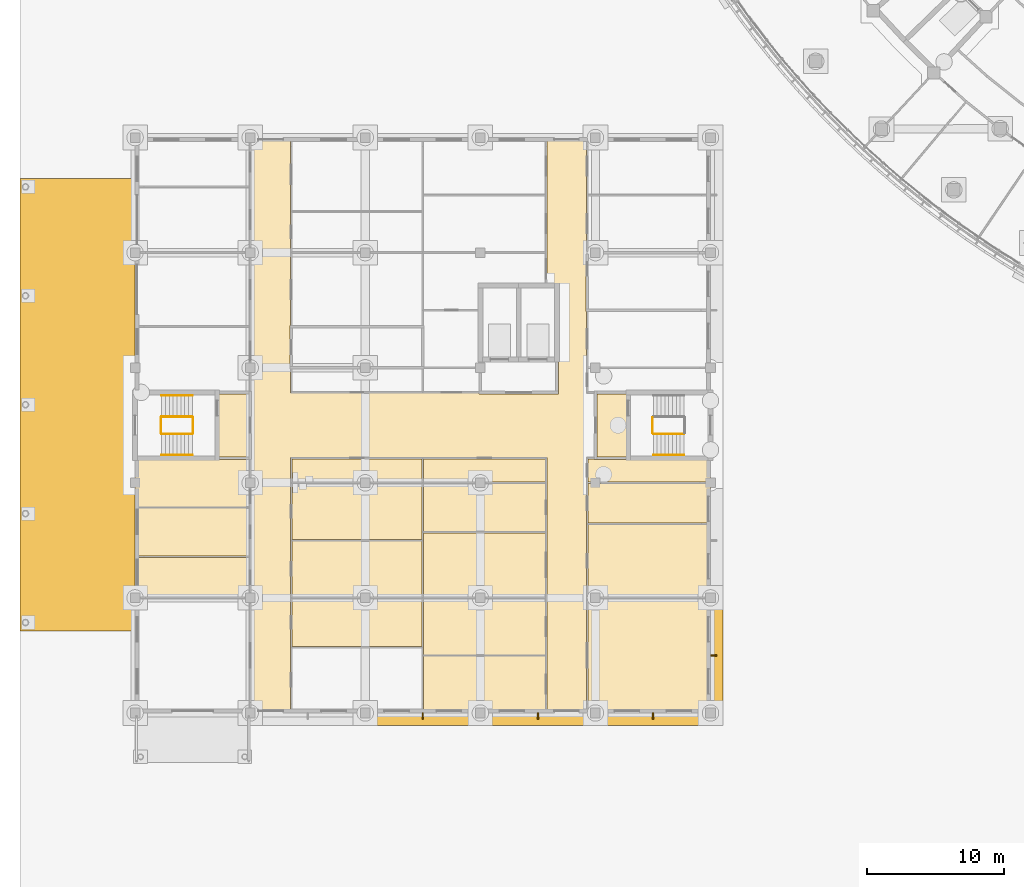
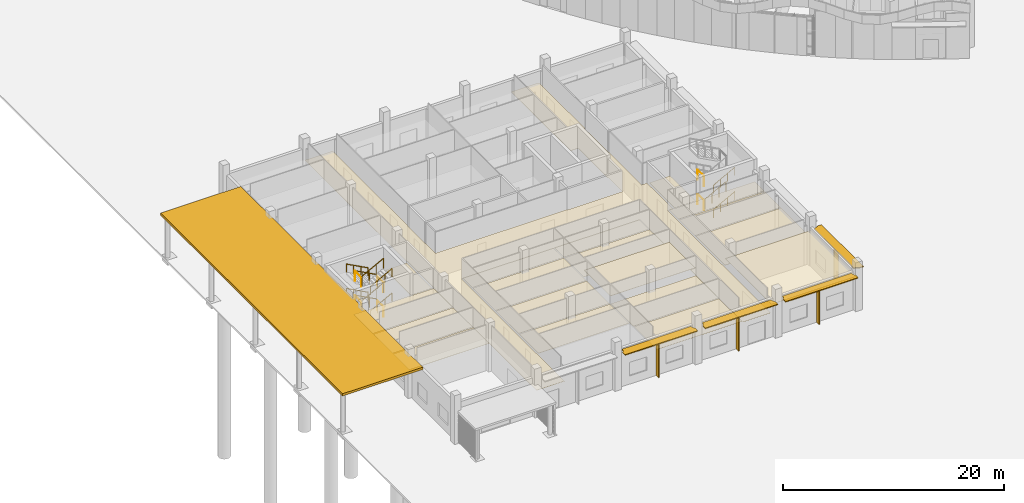
# One storey, part 117 of 146: 19 coverings, 17 railings, 9 shading devices.
"""IFC4 building model written with IfcOpenShell, lengths in metres."""

from ifc_helpers import new_model, si_unit, direction, frame, origin, origin_2d, place, context, subcontext, project, spatial, polyline, rectangle, circle, outline, extrude, material, layer, layer_set, material_profile, profile_set, type_object, element, save


model = new_model("IFC4")

# Units and contexts
model_context = context("Model", 3, precision=1e-05, world=origin(), true_north=direction((0.0, 1.0)))
body_context = subcontext(model_context, "Body", "Model", "MODEL_VIEW")
ifc_project = project(units=[si_unit("LENGTHUNIT", "METRE"), si_unit("AREAUNIT", "SQUARE_METRE"), si_unit("VOLUMEUNIT", "CUBIC_METRE"), si_unit("PLANEANGLEUNIT", "RADIAN"), si_unit("MASSUNIT", "GRAM", prefix="KILO")], contexts=[model_context])

# Site, building, storey
site_placement = place(None, origin())
site = spatial("IfcSite", under=ifc_project, at=site_placement, CompositionType="ELEMENT")
building_placement = place(site_placement, origin())
building = spatial("IfcBuilding", under=site, at=building_placement, Name="Bougainvillea Quay General Hospital", CompositionType="ELEMENT")
storey_placement = place(building_placement, origin())
storey = spatial("IfcBuildingStorey", under=building, at=storey_placement, Name="L00", CompositionType="ELEMENT", Elevation=0.0)

# Shading device
ifc_material_1 = material(Name="Powder-coated aluminium canopy soffit and fascia, white", Category="aluminium")
ifc_layer_1 = layer(ifc_material_1, 0.25)
ifc_layer_set_1 = layer_set([ifc_layer_1], Name="Powder-coated aluminium canopy soffit and fascia, white")
shading_device_type_1 = type_object("IfcShadingDeviceType", Name="Ambulance bay canopy 250", PredefinedType="AWNING", material=ifc_layer_set_1)
shading_device_1_placement = place(storey_placement, frame((0.0, 0.0, 4.35009765625)))
element("IfcShadingDevice", 1, at=shading_device_1_placement, inside=storey, type_object=shading_device_type_1, Name="Ambulance bay canopy amb", PredefinedType="AWNING", context=body_context, shape_type="SweptSolid", body=[
    extrude(outline(polyline([(0.0, 39.60009765625), (8.39990234375, 39.60009765625), (8.39990234375, 72.60009765625), (0.0, 72.60009765625), (0.0, 39.60009765625)])), origin(), (0.0, 0.0, 1.0), 0.25),
])

# Railings
ifc_material_2 = material(Name="Stainless steel 304 balustrade", Category="steel")
railing_type_1 = type_object("IfcRailingType", Name="Stair guard 1100", PredefinedType="GUARDRAIL", material=ifc_material_2)
railing_1_placement = place(storey_placement, frame((12.574951171875, 55.22509765625, 0.14990234375)))
element("IfcRailing", 2, at=railing_1_placement, inside=storey, type_object=railing_type_1, Name="L00 ST-U1 stair guard 1", PredefinedType="GUARDRAIL", context=body_context, shape_type="SweptSolid", body=[
    extrude(circle(Radius=0.02392578125, at=origin_2d()), frame((0.0, 0.0, 1.076171875), z_axis=(-0.881447119201, 0.0, 0.472282728937), x_axis=(0.0, -1.0, 0.0)), (0.0, 0.0, 1.0), 2.541259765625),
    extrude(circle(Radius=0.02099609375, at=origin_2d()), origin(), (0.0, 0.0, 1.0), 1.052001953125),
    extrude(circle(Radius=0.02099609375, at=origin_2d()), frame((-0.74658203125, 0.0, 0.400146484375)), (0.0, 0.0, 1.0), 1.052001953125),
    extrude(circle(Radius=0.02099609375, at=origin_2d()), frame((-1.493408203125, 0.0, 0.800048828125)), (0.0, 0.0, 1.0), 1.052001953125),
    extrude(circle(Radius=0.02099609375, at=origin_2d()), frame((-2.239990234375, 0.0, 1.2001953125)), (0.0, 0.0, 1.0), 1.052001953125),
])
railing_2_placement = place(storey_placement, frame((10.284912109375, 55.175048828125, 1.35009765625)))
element("IfcRailing", 3, at=railing_2_placement, inside=storey, type_object=railing_type_1, Name="L00 ST-U1 stair guard 2", PredefinedType="GUARDRAIL", context=body_context, shape_type="SweptSolid", body=[
    extrude(circle(Radius=0.02392578125, at=origin_2d()), frame((0.0, 0.0, 1.076171875), z_axis=(0.0, -1.0, 0.0), x_axis=(1.0, 0.0, 0.0)), (0.0, 0.0, 1.0), 1.150146484375),
    extrude(circle(Radius=0.02099609375, at=origin_2d()), origin(), (0.0, 0.0, 1.0), 1.052001953125),
    extrude(circle(Radius=0.02099609375, at=origin_2d()), frame((0.0, -1.150146484375, 0.0)), (0.0, 0.0, 1.0), 1.052001953125),
])
railing_3_placement = place(storey_placement, frame((10.3349609375, 53.97509765625, 1.5)))
element("IfcRailing", 4, at=railing_3_placement, inside=storey, type_object=railing_type_1, Name="L00 ST-U1 stair guard 3", PredefinedType="GUARDRAIL", context=body_context, shape_type="SweptSolid", body=[
    extrude(circle(Radius=0.02392578125, at=origin_2d()), frame((0.0, 0.0, 1.076171875), z_axis=(0.881487111273, 0.0, 0.472208081951), x_axis=(0.0, 1.0, 0.0)), (0.0, 0.0, 1.0), 2.541259765625),
    extrude(circle(Radius=0.02099609375, at=origin_2d()), origin(), (0.0, 0.0, 1.0), 1.052001953125),
    extrude(circle(Radius=0.02099609375, at=origin_2d()), frame((0.74658203125, 0.0, 0.39990234375)), (0.0, 0.0, 1.0), 1.052001953125),
    extrude(circle(Radius=0.02099609375, at=origin_2d()), frame((1.493408203125, 0.0, 0.800048828125)), (0.0, 0.0, 1.0), 1.052001953125),
    extrude(circle(Radius=0.02099609375, at=origin_2d()), frame((2.239990234375, 0.0, 1.199951171875)), (0.0, 0.0, 1.0), 1.052001953125),
])
railing_4_placement = place(storey_placement, frame((12.625, 55.175048828125, 2.699951171875)))
element("IfcRailing", 5, at=railing_4_placement, inside=storey, type_object=railing_type_1, Name="L00 ST-U1 stair guard 4", PredefinedType="GUARDRAIL", context=body_context, shape_type="SweptSolid", body=[
    extrude(circle(Radius=0.02392578125, at=origin_2d()), frame((0.0, 0.0, 1.076171875), z_axis=(0.0, -1.0, 0.0), x_axis=(1.0, 0.0, 0.0)), (0.0, 0.0, 1.0), 1.150146484375),
    extrude(circle(Radius=0.02099609375, at=origin_2d()), origin(), (0.0, 0.0, 1.0), 1.052001953125),
    extrude(circle(Radius=0.02099609375, at=origin_2d()), frame((0.0, -1.150146484375, 0.0)), (0.0, 0.0, 1.0), 1.052001953125),
])
railing_5_placement = place(storey_placement, frame((12.574951171875, 55.22509765625, 2.85009765625)))
element("IfcRailing", 6, at=railing_5_placement, inside=storey, type_object=railing_type_1, Name="L00 ST-U1 stair guard 5", PredefinedType="GUARDRAIL", context=body_context, shape_type="SweptSolid", body=[
    extrude(circle(Radius=0.02392578125, at=origin_2d()), frame((0.0, 0.0, 1.076171875), z_axis=(-0.881487111273, 0.0, 0.472208081951), x_axis=(0.0, -1.0, 0.0)), (0.0, 0.0, 1.0), 2.541259765625),
    extrude(circle(Radius=0.02099609375, at=origin_2d()), origin(), (0.0, 0.0, 1.0), 1.052001953125),
    extrude(circle(Radius=0.02099609375, at=origin_2d()), frame((-0.74658203125, 0.0, 0.39990234375)), (0.0, 0.0, 1.0), 1.052001953125),
    extrude(circle(Radius=0.02099609375, at=origin_2d()), frame((-1.493408203125, 0.0, 0.800048828125)), (0.0, 0.0, 1.0), 1.052001953125),
    extrude(circle(Radius=0.02099609375, at=origin_2d()), frame((-2.239990234375, 0.0, 1.199951171875)), (0.0, 0.0, 1.0), 1.052001953125),
])
railing_6_placement = place(storey_placement, frame((10.284912109375, 55.175048828125, 4.050048828125)))
element("IfcRailing", 7, at=railing_6_placement, inside=storey, type_object=railing_type_1, Name="L00 ST-U1 stair guard 6", PredefinedType="GUARDRAIL", context=body_context, shape_type="SweptSolid", body=[
    extrude(circle(Radius=0.02392578125, at=origin_2d()), frame((0.0, 0.0, 1.076171875), z_axis=(0.0, -1.0, 0.0), x_axis=(1.0, 0.0, 0.0)), (0.0, 0.0, 1.0), 1.150146484375),
    extrude(circle(Radius=0.02099609375, at=origin_2d()), origin(), (0.0, 0.0, 1.0), 1.052001953125),
    extrude(circle(Radius=0.02099609375, at=origin_2d()), frame((0.0, -1.150146484375, 0.0)), (0.0, 0.0, 1.0), 1.052001953125),
])
railing_7_placement = place(storey_placement, frame((10.3349609375, 53.97509765625, 4.199951171875)))
element("IfcRailing", 8, at=railing_7_placement, inside=storey, type_object=railing_type_1, Name="L00 ST-U1 stair guard 7", PredefinedType="GUARDRAIL", context=body_context, shape_type="SweptSolid", body=[
    extrude(circle(Radius=0.02392578125, at=origin_2d()), frame((0.0, 0.0, 1.076171875), z_axis=(0.881487111273, 0.0, 0.472208081951), x_axis=(0.0, 1.0, 0.0)), (0.0, 0.0, 1.0), 2.541259765625),
    extrude(circle(Radius=0.02099609375, at=origin_2d()), origin(), (0.0, 0.0, 1.0), 1.052001953125),
    extrude(circle(Radius=0.02099609375, at=origin_2d()), frame((0.74658203125, 0.0, 0.39990234375)), (0.0, 0.0, 1.0), 1.052001953125),
    extrude(circle(Radius=0.02099609375, at=origin_2d()), frame((1.493408203125, 0.0, 0.800048828125)), (0.0, 0.0, 1.0), 1.052001953125),
    extrude(circle(Radius=0.02099609375, at=origin_2d()), frame((2.239990234375, 0.0, 1.199951171875)), (0.0, 0.0, 1.0), 1.052001953125),
])
railing_8_placement = place(storey_placement, frame((12.625, 55.175048828125, 0.0)))
element("IfcRailing", 9, at=railing_8_placement, inside=storey, type_object=railing_type_1, Name="L00 ST-U1 stair guard 8", PredefinedType="GUARDRAIL", context=body_context, shape_type="SweptSolid", body=[
    extrude(circle(Radius=0.02392578125, at=origin_2d()), frame((0.0, 0.0, 1.076171875), z_axis=(0.0, -1.0, 0.0), x_axis=(1.0, 0.0, 0.0)), (0.0, 0.0, 1.0), 1.150146484375),
    extrude(circle(Radius=0.02099609375, at=origin_2d()), origin(), (0.0, 0.0, 1.0), 1.052001953125),
    extrude(circle(Radius=0.02099609375, at=origin_2d()), frame((0.0, -1.150146484375, 0.0)), (0.0, 0.0, 1.0), 1.052001953125),
])
railing_9_placement = place(storey_placement, frame((46.22509765625, 53.97509765625, 0.14990234375)))
element("IfcRailing", 10, at=railing_9_placement, inside=storey, type_object=railing_type_1, Name="L00 ST-U2 stair guard 1", PredefinedType="GUARDRAIL", context=body_context, shape_type="SweptSolid", body=[
    extrude(circle(Radius=0.02392578125, at=origin_2d()), frame((0.0, 0.0, 1.076171875), z_axis=(0.881447119201, 0.0, 0.472282728937), x_axis=(0.0, 1.0, 0.0)), (0.0, 0.0, 1.0), 2.541259765625),
    extrude(circle(Radius=0.02099609375, at=origin_2d()), origin(), (0.0, 0.0, 1.0), 1.052001953125),
    extrude(circle(Radius=0.02099609375, at=origin_2d()), frame((0.74658203125, 0.0, 0.400146484375)), (0.0, 0.0, 1.0), 1.052001953125),
    extrude(circle(Radius=0.02099609375, at=origin_2d()), frame((1.493408203125, 0.0, 0.800048828125)), (0.0, 0.0, 1.0), 1.052001953125),
    extrude(circle(Radius=0.02099609375, at=origin_2d()), frame((2.239990234375, 0.0, 1.2001953125)), (0.0, 0.0, 1.0), 1.052001953125),
])
for number, where, name in (
    (11, (46.175048828125, 54.02490234375, 2.699951171875), "L00 ST-U2 stair guard 4"),
    (12, (46.175048828125, 54.02490234375, 0.0), "L00 ST-U2 stair guard 8"),
):
    element("IfcRailing", number, at=place(storey_placement, frame(where)), inside=storey, type_object=railing_type_1, Name=name, PredefinedType="GUARDRAIL", context=body_context, shape_type="SweptSolid", body=[
        extrude(circle(Radius=0.02392578125, at=origin_2d()), frame((0.0, 0.0, 1.076171875), z_axis=(0.0, 1.0, 0.0), x_axis=(-1.0, 0.0, 0.0)), (0.0, 0.0, 1.0), 1.150146484375),
        extrude(circle(Radius=0.02099609375, at=origin_2d()), origin(), (0.0, 0.0, 1.0), 1.052001953125),
        extrude(circle(Radius=0.02099609375, at=origin_2d()), frame((0.0, 1.150146484375, 0.0)), (0.0, 0.0, 1.0), 1.052001953125),
    ])
ifc_material_3 = material(Name="Stainless steel 304 handrail", Category="steel")
railing_type_2 = type_object("IfcRailingType", Name="Stair handrail 900", PredefinedType="HANDRAIL", material=ifc_material_3)
railing_10_placement = place(storey_placement, frame((12.574951171875, 56.77490234375, 0.14990234375)))
element("IfcRailing", 13, at=railing_10_placement, inside=storey, type_object=railing_type_2, Name="L00 ST-U1 stair handrail 1", PredefinedType="HANDRAIL", context=body_context, shape_type="SweptSolid", body=[
    extrude(circle(Radius=0.02392578125, at=origin_2d()), frame((0.0, 0.0, 0.8759765625), z_axis=(-0.881447119201, 0.0, 0.472282728937), x_axis=(0.0, -1.0, 0.0)), (0.0, 0.0, 1.0), 2.541259765625),
    extrude(circle(Radius=0.02099609375, at=origin_2d()), origin(), (0.0, 0.0, 1.0), 0.851806640625),
    extrude(circle(Radius=0.02099609375, at=origin_2d()), frame((-0.74658203125, 0.0, 0.400146484375)), (0.0, 0.0, 1.0), 0.851806640625),
    extrude(circle(Radius=0.02099609375, at=origin_2d()), frame((-1.493408203125, 0.0, 0.800048828125)), (0.0, 0.0, 1.0), 0.851806640625),
    extrude(circle(Radius=0.02099609375, at=origin_2d()), frame((-2.239990234375, 0.0, 1.2001953125)), (0.0, 0.0, 1.0), 0.851806640625),
])
railing_11_placement = place(storey_placement, frame((10.3349609375, 52.425048828125, 1.5)))
element("IfcRailing", 14, at=railing_11_placement, inside=storey, type_object=railing_type_2, Name="L00 ST-U1 stair handrail 2", PredefinedType="HANDRAIL", context=body_context, shape_type="SweptSolid", body=[
    extrude(circle(Radius=0.02392578125, at=origin_2d()), frame((0.0, 0.0, 0.8759765625), z_axis=(0.881487111273, 0.0, 0.472208081951), x_axis=(0.0, 1.0, 0.0)), (0.0, 0.0, 1.0), 2.541259765625),
    extrude(circle(Radius=0.02099609375, at=origin_2d()), origin(), (0.0, 0.0, 1.0), 0.851806640625),
    extrude(circle(Radius=0.02099609375, at=origin_2d()), frame((0.74658203125, 0.0, 0.39990234375)), (0.0, 0.0, 1.0), 0.851806640625),
    extrude(circle(Radius=0.02099609375, at=origin_2d()), frame((1.493408203125, 0.0, 0.800048828125)), (0.0, 0.0, 1.0), 0.851806640625),
    extrude(circle(Radius=0.02099609375, at=origin_2d()), frame((2.239990234375, 0.0, 1.199951171875)), (0.0, 0.0, 1.0), 0.851806640625),
])
railing_12_placement = place(storey_placement, frame((12.574951171875, 56.77490234375, 2.85009765625)))
element("IfcRailing", 15, at=railing_12_placement, inside=storey, type_object=railing_type_2, Name="L00 ST-U1 stair handrail 3", PredefinedType="HANDRAIL", context=body_context, shape_type="SweptSolid", body=[
    extrude(circle(Radius=0.02392578125, at=origin_2d()), frame((0.0, 0.0, 0.8759765625), z_axis=(-0.881487111273, 0.0, 0.472208081951), x_axis=(0.0, -1.0, 0.0)), (0.0, 0.0, 1.0), 2.541259765625),
    extrude(circle(Radius=0.02099609375, at=origin_2d()), origin(), (0.0, 0.0, 1.0), 0.851806640625),
    extrude(circle(Radius=0.02099609375, at=origin_2d()), frame((-0.74658203125, 0.0, 0.39990234375)), (0.0, 0.0, 1.0), 0.851806640625),
    extrude(circle(Radius=0.02099609375, at=origin_2d()), frame((-1.493408203125, 0.0, 0.800048828125)), (0.0, 0.0, 1.0), 0.851806640625),
    extrude(circle(Radius=0.02099609375, at=origin_2d()), frame((-2.239990234375, 0.0, 1.199951171875)), (0.0, 0.0, 1.0), 0.851806640625),
])
railing_13_placement = place(storey_placement, frame((10.3349609375, 52.425048828125, 4.199951171875)))
element("IfcRailing", 16, at=railing_13_placement, inside=storey, type_object=railing_type_2, Name="L00 ST-U1 stair handrail 4", PredefinedType="HANDRAIL", context=body_context, shape_type="SweptSolid", body=[
    extrude(circle(Radius=0.02392578125, at=origin_2d()), frame((0.0, 0.0, 0.8759765625), z_axis=(0.881487111273, 0.0, 0.472208081951), x_axis=(0.0, 1.0, 0.0)), (0.0, 0.0, 1.0), 2.541259765625),
    extrude(circle(Radius=0.02099609375, at=origin_2d()), origin(), (0.0, 0.0, 1.0), 0.851806640625),
    extrude(circle(Radius=0.02099609375, at=origin_2d()), frame((0.74658203125, 0.0, 0.39990234375)), (0.0, 0.0, 1.0), 0.851806640625),
    extrude(circle(Radius=0.02099609375, at=origin_2d()), frame((1.493408203125, 0.0, 0.800048828125)), (0.0, 0.0, 1.0), 0.851806640625),
    extrude(circle(Radius=0.02099609375, at=origin_2d()), frame((2.239990234375, 0.0, 1.199951171875)), (0.0, 0.0, 1.0), 0.851806640625),
])
railing_14_placement = place(storey_placement, frame((46.22509765625, 52.425048828125, 0.14990234375)))
element("IfcRailing", 17, at=railing_14_placement, inside=storey, type_object=railing_type_2, Name="L00 ST-U2 stair handrail 1", PredefinedType="HANDRAIL", context=body_context, shape_type="SweptSolid", body=[
    extrude(circle(Radius=0.02392578125, at=origin_2d()), frame((0.0, 0.0, 0.8759765625), z_axis=(0.881447119201, 0.0, 0.472282728937), x_axis=(0.0, 1.0, 0.0)), (0.0, 0.0, 1.0), 2.541259765625),
    extrude(circle(Radius=0.02099609375, at=origin_2d()), origin(), (0.0, 0.0, 1.0), 0.851806640625),
    extrude(circle(Radius=0.02099609375, at=origin_2d()), frame((0.74658203125, 0.0, 0.400146484375)), (0.0, 0.0, 1.0), 0.851806640625),
    extrude(circle(Radius=0.02099609375, at=origin_2d()), frame((1.493408203125, 0.0, 0.800048828125)), (0.0, 0.0, 1.0), 0.851806640625),
    extrude(circle(Radius=0.02099609375, at=origin_2d()), frame((2.239990234375, 0.0, 1.2001953125)), (0.0, 0.0, 1.0), 0.851806640625),
])
railing_15_placement = place(storey_placement, frame((46.22509765625, 52.425048828125, 2.85009765625)))
element("IfcRailing", 18, at=railing_15_placement, inside=storey, type_object=railing_type_2, Name="L00 ST-U2 stair handrail 3", PredefinedType="HANDRAIL", context=body_context, shape_type="SweptSolid", body=[
    extrude(circle(Radius=0.02392578125, at=origin_2d()), frame((0.0, 0.0, 0.8759765625), z_axis=(0.881487111273, 0.0, 0.472208081951), x_axis=(0.0, 1.0, 0.0)), (0.0, 0.0, 1.0), 2.541259765625),
    extrude(circle(Radius=0.02099609375, at=origin_2d()), origin(), (0.0, 0.0, 1.0), 0.851806640625),
    extrude(circle(Radius=0.02099609375, at=origin_2d()), frame((0.74658203125, 0.0, 0.39990234375)), (0.0, 0.0, 1.0), 0.851806640625),
    extrude(circle(Radius=0.02099609375, at=origin_2d()), frame((1.493408203125, 0.0, 0.800048828125)), (0.0, 0.0, 1.0), 0.851806640625),
    extrude(circle(Radius=0.02099609375, at=origin_2d()), frame((2.239990234375, 0.0, 1.199951171875)), (0.0, 0.0, 1.0), 0.851806640625),
])

# Shading devices
ifc_layer_2 = layer(ifc_material_1, 0.10009765625)
ifc_layer_set_2 = layer_set([ifc_layer_2], Name="Powder-coated aluminium canopy soffit and fascia, white")
shading_device_type_2 = type_object("IfcShadingDeviceType", Name="Sunshade 100", PredefinedType="USERDEFINED", material=ifc_layer_set_2)
shading_device_2_placement = place(storey_placement, frame((0.0, 0.0, 4.050048828125)))
element("IfcShadingDevice", 19, at=shading_device_2_placement, inside=storey, type_object=shading_device_type_2, Name="Sunshade 0", ObjectType="Sunshade", PredefinedType="USERDEFINED", context=body_context, shape_type="SweptSolid", body=[
    extrude(outline(polyline([(50.39990234375, 41.39990234375), (50.39990234375, 34.199951171875), (50.51708984375, 34.1884765625), (50.629638671875, 34.154296875), (50.7333984375, 34.098876953125), (50.84619140625, 34.0), (51.300048828125, 34.0), (51.300048828125, 41.60009765625), (50.84619140625, 41.60009765625), (50.7333984375, 41.501220703125), (50.629638671875, 41.445556640625), (50.51708984375, 41.41162109375), (50.39990234375, 41.39990234375)])), origin(), (0.0, 0.0, 1.0), 0.099853515625),
])
shading_device_3_placement = place(storey_placement, frame((0.0, 0.0, 4.050048828125)))
element("IfcShadingDevice", 20, at=shading_device_3_placement, inside=storey, type_object=shading_device_type_2, Name="Sunshade 0", ObjectType="Sunshade", PredefinedType="USERDEFINED", context=body_context, shape_type="SweptSolid", body=[
    extrude(outline(polyline([(33.0, 33.60009765625), (25.800048828125, 33.60009765625), (25.78857421875, 33.48291015625), (25.75439453125, 33.370361328125), (25.698974609375, 33.2666015625), (25.60009765625, 33.15380859375), (25.60009765625, 32.699951171875), (33.199951171875, 32.699951171875), (33.199951171875, 33.15380859375), (33.10107421875, 33.2666015625), (33.045654296875, 33.370361328125), (33.011474609375, 33.48291015625), (33.0, 33.60009765625)])), origin(), (0.0, 0.0, 1.0), 0.099853515625),
])
shading_device_4_placement = place(storey_placement, frame((0.0, 0.0, 4.050048828125)))
element("IfcShadingDevice", 21, at=shading_device_4_placement, inside=storey, type_object=shading_device_type_2, Name="Sunshade 0", ObjectType="Sunshade", PredefinedType="USERDEFINED", context=body_context, shape_type="SweptSolid", body=[
    extrude(outline(polyline([(41.39990234375, 33.60009765625), (34.199951171875, 33.60009765625), (34.1884765625, 33.48291015625), (34.154296875, 33.370361328125), (34.098876953125, 33.2666015625), (34.0, 33.15380859375), (34.0, 32.699951171875), (41.60009765625, 32.699951171875), (41.60009765625, 33.15380859375), (41.501220703125, 33.2666015625), (41.445556640625, 33.370361328125), (41.41162109375, 33.48291015625), (41.39990234375, 33.60009765625)])), origin(), (0.0, 0.0, 1.0), 0.099853515625),
])
shading_device_5_placement = place(storey_placement, frame((0.0, 0.0, 4.050048828125)))
element("IfcShadingDevice", 22, at=shading_device_5_placement, inside=storey, type_object=shading_device_type_2, Name="Sunshade 0", ObjectType="Sunshade", PredefinedType="USERDEFINED", context=body_context, shape_type="SweptSolid", body=[
    extrude(outline(polyline([(49.800048828125, 33.60009765625), (42.60009765625, 33.60009765625), (42.58837890625, 33.48291015625), (42.554443359375, 33.370361328125), (42.498779296875, 33.2666015625), (42.39990234375, 33.15380859375), (42.39990234375, 32.699951171875), (50.0, 32.699951171875), (50.0, 33.15380859375), (49.901123046875, 33.2666015625), (49.845703125, 33.370361328125), (49.8115234375, 33.48291015625), (49.800048828125, 33.60009765625)])), origin(), (0.0, 0.0, 1.0), 0.099853515625),
])

# Coverings
ifc_material_4 = material(Name="Mineral fibre ceiling tile")
ifc_layer_3 = layer(ifc_material_4, 0.030029296875)
ifc_layer_set_3 = layer_set([ifc_layer_3], Name="Mineral fibre ceiling tile")
covering_type = type_object("IfcCoveringType", Name="Suspended ceiling mineral fibre tile", PredefinedType="CEILING", material=ifc_layer_set_3)
covering_1_placement = place(storey_placement, frame((0.0, 0.0, 2.699951171875)))
element("IfcCovering", 23, at=covering_1_placement, inside=storey, type_object=covering_type, Name="Ceiling Corridor V2-1", PredefinedType="CEILING", context=body_context, shape_type="SweptSolid", body=[
    extrude(outline(polyline([(16.85009765625, 75.60009765625), (16.85009765625, 57.10009765625), (16.89990234375, 57.10009765625), (16.89990234375, 52.10009765625), (16.85009765625, 52.10009765625), (16.85009765625, 33.60009765625), (19.75, 33.60009765625), (19.75, 52.25), (38.449951171875, 52.25), (38.449951171875, 33.60009765625), (41.35009765625, 33.60009765625), (41.35009765625, 52.25), (41.89990234375, 52.25), (41.89990234375, 56.949951171875), (41.35009765625, 56.949951171875), (41.35009765625, 62.89990234375), (41.300048828125, 62.89990234375), (41.300048828125, 67.300048828125), (41.35009765625, 67.300048828125), (41.35009765625, 75.60009765625), (38.449951171875, 75.60009765625), (38.449951171875, 64.85009765625), (39.25, 64.85009765625), (39.25, 59.5), (39.300048828125, 59.5), (39.300048828125, 56.89990234375), (33.5, 56.89990234375), (33.5, 56.949951171875), (19.75, 56.949951171875), (19.75, 58.699951171875), (19.699951171875, 58.699951171875), (19.699951171875, 61.89990234375), (19.75, 61.89990234375), (19.75, 75.60009765625), (16.85009765625, 75.60009765625)])), origin(), (0.0, 0.0, 1.0), 0.030029296875),
])
covering_2_placement = place(storey_placement, frame((0.0, 0.0, 2.699951171875)))
element("IfcCovering", 24, at=covering_2_placement, inside=storey, type_object=covering_type, Name="Ceiling Smoke-proof Stair Vestibule ST-U1", PredefinedType="CEILING", context=body_context, shape_type="SweptSolid", body=[
    extrude(outline(polyline([(14.5, 56.89990234375), (14.5, 52.300048828125), (16.699951171875, 52.300048828125), (16.699951171875, 56.89990234375), (14.5, 56.89990234375)])), origin(), (0.0, 0.0, 1.0), 0.030029296875),
])
covering_3_placement = place(storey_placement, frame((0.0, 0.0, 2.699951171875)))
element("IfcCovering", 25, at=covering_3_placement, inside=storey, type_object=covering_type, Name="Ceiling Smoke-proof Stair Vestibule ST-U2", PredefinedType="CEILING", context=body_context, shape_type="SweptSolid", body=[
    extrude(outline(polyline([(42.10009765625, 56.89990234375), (42.10009765625, 52.300048828125), (44.300048828125, 52.300048828125), (44.300048828125, 56.89990234375), (42.10009765625, 56.89990234375)])), origin(), (0.0, 0.0, 1.0), 0.030029296875),
])
covering_4_placement = place(storey_placement, frame((0.0, 0.0, 2.800048828125)))
element("IfcCovering", 26, at=covering_4_placement, inside=storey, type_object=covering_type, Name="Ceiling Emergency Triage Room 01", PredefinedType="CEILING", context=body_context, shape_type="SweptSolid", body=[
    extrude(outline(polyline([(8.39990234375, 48.64990234375), (16.75, 48.64990234375), (16.75, 52.10009765625), (14.300048828125, 52.10009765625), (14.300048828125, 52.14990234375), (8.39990234375, 52.14990234375), (8.39990234375, 48.64990234375)])), origin(), (0.0, 0.0, 1.0), 0.030029296875),
])
covering_5_placement = place(storey_placement, frame((0.0, 0.0, 2.800048828125)))
element("IfcCovering", 27, at=covering_5_placement, inside=storey, type_object=covering_type, Name="Ceiling Emergency Registration Office", PredefinedType="CEILING", context=body_context, shape_type="SweptSolid", body=[
    extrude(outline(polyline([(8.39990234375, 45.050048828125), (16.75, 45.050048828125), (16.75, 48.550048828125), (8.39990234375, 48.550048828125), (8.39990234375, 45.050048828125)])), origin(), (0.0, 0.0, 1.0), 0.030029296875),
])
covering_6_placement = place(storey_placement, frame((0.0, 0.0, 2.800048828125)))
element("IfcCovering", 28, at=covering_6_placement, inside=storey, type_object=covering_type, Name="Ceiling Emergency Triage Room 02", PredefinedType="CEILING", context=body_context, shape_type="SweptSolid", body=[
    extrude(outline(polyline([(8.39990234375, 42.050048828125), (16.75, 42.050048828125), (16.75, 44.949951171875), (8.39990234375, 44.949951171875), (8.39990234375, 42.050048828125)])), origin(), (0.0, 0.0, 1.0), 0.030029296875),
])
covering_7_placement = place(storey_placement, frame((0.0, 0.0, 2.800048828125)))
element("IfcCovering", 29, at=covering_7_placement, inside=storey, type_object=covering_type, Name="Ceiling Emergency Accessible WC 01", PredefinedType="CEILING", context=body_context, shape_type="SweptSolid", body=[
    extrude(outline(polyline([(19.85009765625, 50.449951171875), (29.35009765625, 50.449951171875), (29.35009765625, 52.14990234375), (19.85009765625, 52.14990234375), (19.85009765625, 50.449951171875)])), origin(), (0.0, 0.0, 1.0), 0.030029296875),
])
covering_8_placement = place(storey_placement, frame((0.0, 0.0, 2.800048828125)))
element("IfcCovering", 30, at=covering_8_placement, inside=storey, type_object=covering_type, Name="Ceiling Emergency Public WC 01", PredefinedType="CEILING", context=body_context, shape_type="SweptSolid", body=[
    extrude(outline(polyline([(19.85009765625, 46.25), (29.35009765625, 46.25), (29.35009765625, 50.35009765625), (19.85009765625, 50.35009765625), (19.85009765625, 46.25)])), origin(), (0.0, 0.0, 1.0), 0.030029296875),
])
covering_9_placement = place(storey_placement, frame((0.0, 0.0, 2.800048828125)))
element("IfcCovering", 31, at=covering_9_placement, inside=storey, type_object=covering_type, Name="Ceiling Emergency Triage Room 03", PredefinedType="CEILING", context=body_context, shape_type="SweptSolid", body=[
    extrude(outline(polyline([(29.35009765625, 46.14990234375), (19.85009765625, 46.14990234375), (19.85009765625, 42.050048828125), (29.35009765625, 42.050048828125), (29.35009765625, 46.14990234375)])), origin(), (0.0, 0.0, 1.0), 0.030029296875),
])
covering_10_placement = place(storey_placement, frame((0.0, 0.0, 2.800048828125)))
element("IfcCovering", 32, at=covering_10_placement, inside=storey, type_object=covering_type, Name="Ceiling Emergency Registration Office", PredefinedType="CEILING", context=body_context, shape_type="SweptSolid", body=[
    extrude(outline(polyline([(29.35009765625, 41.949951171875), (19.85009765625, 41.949951171875), (19.85009765625, 38.449951171875), (29.35009765625, 38.449951171875), (29.35009765625, 41.949951171875)])), origin(), (0.0, 0.0, 1.0), 0.030029296875),
])
covering_11_placement = place(storey_placement, frame((0.0, 0.0, 2.800048828125)))
element("IfcCovering", 33, at=covering_11_placement, inside=storey, type_object=covering_type, Name="Ceiling Paediatric Emergency Room 01", PredefinedType="CEILING", context=body_context, shape_type="SweptSolid", body=[
    extrude(outline(polyline([(29.449951171875, 50.449951171875), (38.35009765625, 50.449951171875), (38.35009765625, 52.14990234375), (29.449951171875, 52.14990234375), (29.449951171875, 50.449951171875)])), origin(), (0.0, 0.0, 1.0), 0.030029296875),
])
covering_12_placement = place(storey_placement, frame((0.0, 0.0, 2.800048828125)))
element("IfcCovering", 34, at=covering_12_placement, inside=storey, type_object=covering_type, Name="Ceiling Paediatric Emergency Room 02", PredefinedType="CEILING", context=body_context, shape_type="SweptSolid", body=[
    extrude(outline(polyline([(29.449951171875, 46.85009765625), (38.35009765625, 46.85009765625), (38.35009765625, 50.35009765625), (29.449951171875, 50.35009765625), (29.449951171875, 46.85009765625)])), origin(), (0.0, 0.0, 1.0), 0.030029296875),
])
covering_13_placement = place(storey_placement, frame((0.0, 0.0, 3.60009765625)))
element("IfcCovering", 35, at=covering_13_placement, inside=storey, type_object=covering_type, Name="Ceiling Paediatric Waiting Room", PredefinedType="CEILING", context=body_context, shape_type="SweptSolid", body=[
    extrude(outline(polyline([(38.35009765625, 42.050048828125), (38.35009765625, 46.75), (29.449951171875, 46.75), (29.449951171875, 42.050048828125), (38.35009765625, 42.050048828125)])), origin(), (0.0, 0.0, 1.0), 0.02978515625),
])
covering_14_placement = place(storey_placement, frame((0.0, 0.0, 2.800048828125)))
element("IfcCovering", 36, at=covering_14_placement, inside=storey, type_object=covering_type, Name="Ceiling Paediatric Emergency Treatment Room", PredefinedType="CEILING", context=body_context, shape_type="SweptSolid", body=[
    extrude(outline(polyline([(29.449951171875, 37.85009765625), (38.35009765625, 37.85009765625), (38.35009765625, 41.949951171875), (29.449951171875, 41.949951171875), (29.449951171875, 37.85009765625)])), origin(), (0.0, 0.0, 1.0), 0.030029296875),
])
covering_15_placement = place(storey_placement, frame((0.0, 0.0, 2.800048828125)))
element("IfcCovering", 37, at=covering_15_placement, inside=storey, type_object=covering_type, Name="Ceiling Paediatric Observation Bay Room", PredefinedType="CEILING", context=body_context, shape_type="SweptSolid", body=[
    extrude(outline(polyline([(38.35009765625, 33.60009765625), (38.35009765625, 37.75), (29.449951171875, 37.75), (29.449951171875, 33.60009765625), (38.35009765625, 33.60009765625)])), origin(), (0.0, 0.0, 1.0), 0.030029296875),
])
covering_16_placement = place(storey_placement, frame((0.0, 0.0, 2.800048828125)))
element("IfcCovering", 38, at=covering_16_placement, inside=storey, type_object=covering_type, Name="Ceiling Parents' Room", PredefinedType="CEILING", context=body_context, shape_type="SweptSolid", body=[
    extrude(outline(polyline([(50.39990234375, 52.14990234375), (44.5, 52.14990234375), (44.5, 52.10009765625), (41.89990234375, 52.10009765625), (41.89990234375, 52.14990234375), (41.449951171875, 52.14990234375), (41.449951171875, 50.449951171875), (50.39990234375, 50.449951171875), (50.39990234375, 52.14990234375)])), origin(), (0.0, 0.0, 1.0), 0.030029296875),
])
covering_17_placement = place(storey_placement, frame((0.0, 0.0, 2.800048828125)))
element("IfcCovering", 39, at=covering_17_placement, inside=storey, type_object=covering_type, Name="Ceiling Paediatric Emergency WC", PredefinedType="CEILING", context=body_context, shape_type="SweptSolid", body=[
    extrude(outline(polyline([(50.39990234375, 50.35009765625), (41.449951171875, 50.35009765625), (41.449951171875, 47.449951171875), (50.39990234375, 47.449951171875), (50.39990234375, 50.35009765625)])), origin(), (0.0, 0.0, 1.0), 0.030029296875),
])
covering_18_placement = place(storey_placement, frame((0.0, 0.0, 2.800048828125)))
element("IfcCovering", 40, at=covering_18_placement, inside=storey, type_object=covering_type, Name="Ceiling Paediatric Emergency Room 03", PredefinedType="CEILING", context=body_context, shape_type="SweptSolid", body=[
    extrude(outline(polyline([(50.39990234375, 47.35009765625), (41.449951171875, 47.35009765625), (41.449951171875, 42.050048828125), (50.39990234375, 42.050048828125), (50.39990234375, 47.35009765625)])), origin(), (0.0, 0.0, 1.0), 0.030029296875),
])
covering_19_placement = place(storey_placement, frame((0.0, 0.0, 3.60009765625)))
element("IfcCovering", 41, at=covering_19_placement, inside=storey, type_object=covering_type, Name="Ceiling Paediatric Waiting Room", PredefinedType="CEILING", context=body_context, shape_type="SweptSolid", body=[
    extrude(outline(polyline([(50.39990234375, 41.949951171875), (41.449951171875, 41.949951171875), (41.449951171875, 33.60009765625), (50.39990234375, 33.60009765625), (50.39990234375, 41.949951171875)])), origin(), (0.0, 0.0, 1.0), 0.02978515625),
])

# Shading devices
ifc_material_5 = material(Name="Powder-coated aluminium fin, white", Category="aluminium")
ifc_material_profile = material_profile(ifc_material_5, rectangle(XDim=0.449951171875, YDim=0.10009765625, at=origin_2d()))
ifc_profile_set = profile_set([ifc_material_profile], Name="Powder-coated aluminium fin, white")
shading_device_type_3 = type_object("IfcShadingDeviceType", Name="Vertical fin 450x100", PredefinedType="USERDEFINED", material=ifc_profile_set)
for number, where, z_axis, x_axis, name in (
    (42, (50.625, 37.800048828125, 0.0), (0.0, 0.0, 1.0), (1.0, 0.0, 0.0), "Vertical fin 00a 1"),
    (43, (29.39990234375, 33.375, 0.0), (0.0, 0.0, 1.0), (0.0, -1.0, 0.0), "Vertical fin 03c 1"),
    (44, (37.800048828125, 33.375, 0.0), (0.0, 0.0, 1.0), (0.0, -1.0, 0.0), "Vertical fin 03d 1"),
    (45, (46.199951171875, 33.375, 0.0), (0.0, 0.0, 1.0), (0.0, -1.0, 0.0), "Vertical fin 03e 1"),
):
    element("IfcShadingDevice", number, at=place(storey_placement, frame(where, z_axis=z_axis, x_axis=x_axis)), inside=storey, type_object=shading_device_type_3, Name=name, ObjectType="Vertical fin", PredefinedType="USERDEFINED", context=body_context, shape_type="SweptSolid", body=[
        extrude(rectangle(XDim=0.449951171875, YDim=0.10009765625, at=origin_2d()), origin(), (0.0, 0.0, 1.0), 4.050048828125),
    ])

save(model, "model.ifc")
